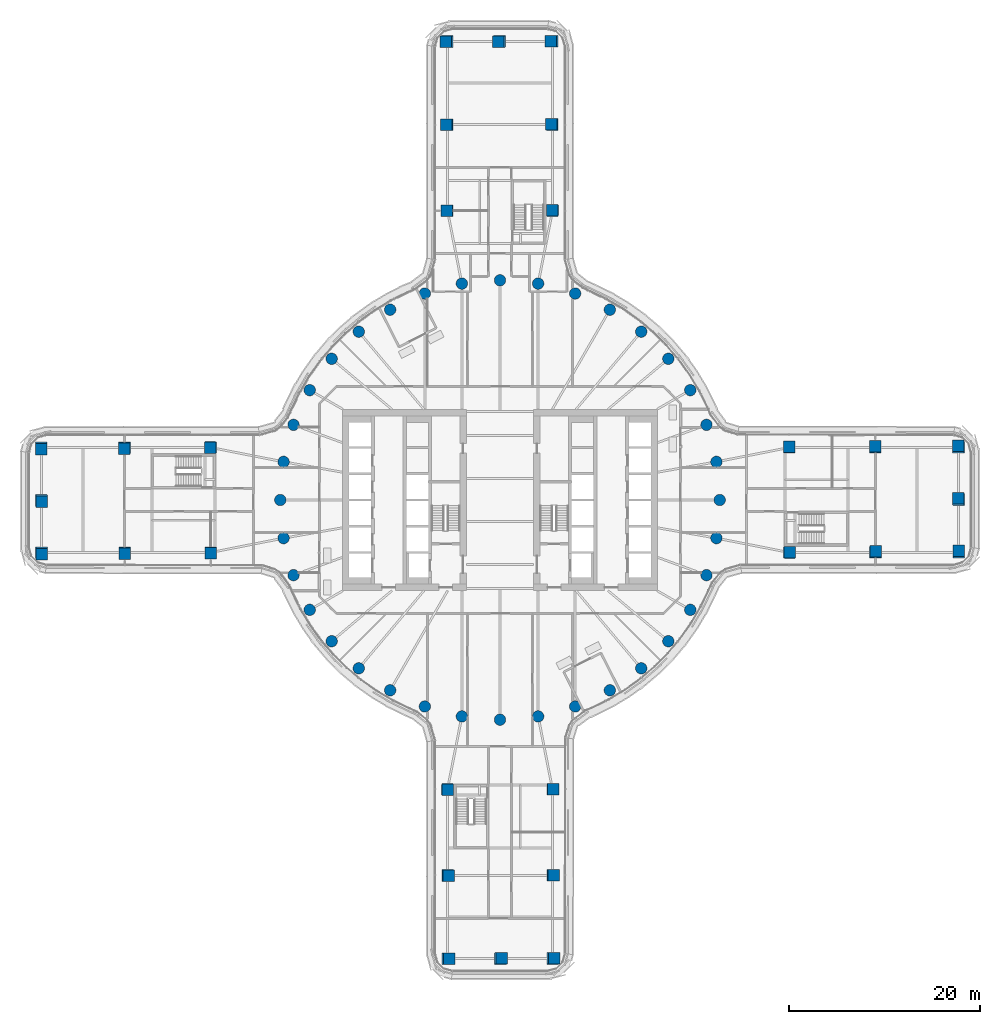
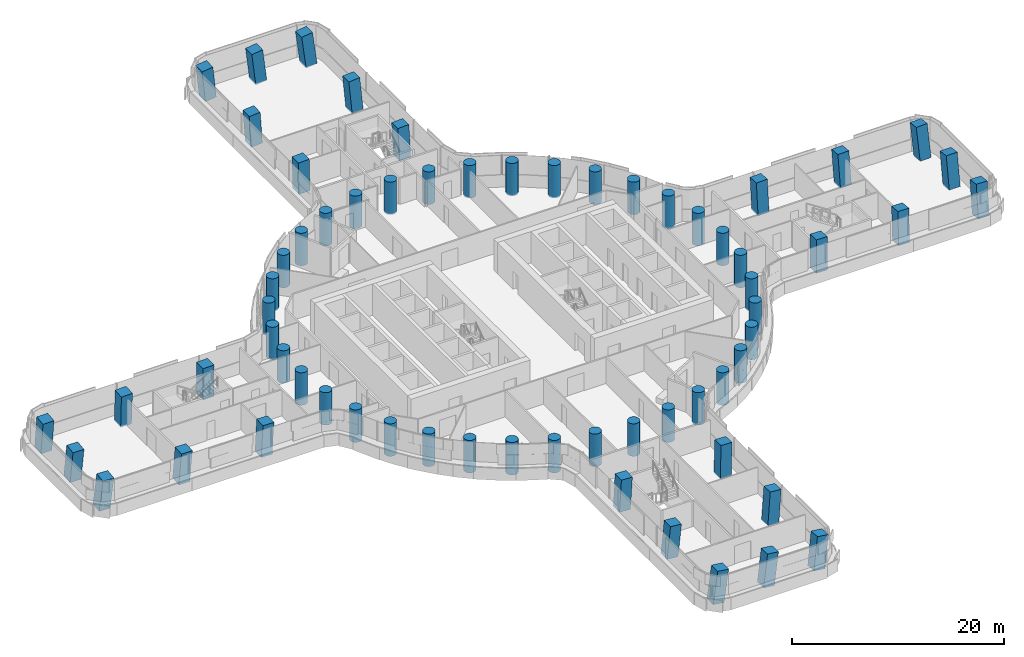
# One storey, part 1 of 32: 64 columns.
"""IFC4 building model written with IfcOpenShell, lengths in metres."""

from ifc_helpers import new_model, si_unit, direction, frame, origin, origin_2d, place, context, subcontext, project, spatial, rectangle, circle, extrude, material, material_profile, profile_set, type_object, element, save


model = new_model("IFC4")

# Units and contexts
model_context = context("Model", 3, precision=1e-05, world=origin(), true_north=direction((0.0, 1.0)))
body_context = subcontext(model_context, "Body", "Model", "MODEL_VIEW")
ifc_project = project(units=[si_unit("LENGTHUNIT", "METRE"), si_unit("AREAUNIT", "SQUARE_METRE"), si_unit("VOLUMEUNIT", "CUBIC_METRE"), si_unit("PLANEANGLEUNIT", "RADIAN"), si_unit("MASSUNIT", "GRAM", prefix="KILO")], contexts=[model_context])

# Site, building, storey
site_placement = place(None, origin())
site = spatial("IfcSite", under=ifc_project, at=site_placement, CompositionType="ELEMENT")
building_placement = place(site_placement, origin())
building = spatial("IfcBuilding", under=site, at=building_placement, Name="Tamarind Cross Interchange Tower", CompositionType="ELEMENT")
storey_placement = place(building_placement, frame((0.0, 0.0, 34.0)))
storey = spatial("IfcBuildingStorey", under=building, at=storey_placement, Name="L06", CompositionType="ELEMENT", Elevation=34.0)

# Columns
ifc_material = material(Name="Concrete C70", Category="concrete")
ifc_material_profile_1 = material_profile(ifc_material, rectangle(XDim=1.199951171875, YDim=1.199951171875, at=origin_2d()), Name="RC 1200x1200")
ifc_profile_set_1 = profile_set([ifc_material_profile_1], Name="Concrete C70")
column_type_1 = type_object("IfcColumnType", Name="Column RC 1200x1200 Concrete C70", PredefinedType="COLUMN", material=ifc_profile_set_1)
column_1_placement = place(storey_placement, frame((39.299072265625, 5.5029296875, -0.105712890625), z_axis=(-0.027435529026, 0.083550680281, 0.996125783007), x_axis=(-0.000803418265, -0.996502412004, 0.083560142343)))
element("IfcColumn", 1, at=column_1_placement, inside=storey, type_object=column_type_1, Name="Column L06-036", PredefinedType="COLUMN", context=body_context, shape_type="SweptSolid", body=[
    extrude(rectangle(XDim=1.199951171875, YDim=1.199951171875, at=origin_2d()), origin(), (0.0, 0.0, 1.0), 3.728515625),
])
column_2_placement = place(storey_placement, frame((39.30078125, -5.4970703125, -0.106201171875), z_axis=(0.025926185634, 0.083998222647, 0.996128571767), x_axis=(-0.999663774736, 0.001767036613, 0.025869191378)))
element("IfcColumn", 2, at=column_2_placement, inside=storey, type_object=column_type_1, Name="Column L06-037", PredefinedType="COLUMN", context=body_context, shape_type="SweptSolid", body=[
    extrude(rectangle(XDim=1.199951171875, YDim=1.199951171875, at=origin_2d()), origin(), (0.0, 0.0, 1.0), 3.72900390625),
])
for number, where, z_axis, x_axis, name in (
    (3, (30.29931640625, 5.500732421875, -0.118896484375), (-0.027018396677, 0.040102366012, 0.998830219047), (-0.00199562335, -0.999195161414, 0.040063036514), "Column L06-038"),
    (4, (30.300537109375, -5.4990234375, -0.118896484375), (0.026364241538, 0.040494951643, 0.998831860555), (-0.999652288171, 0.001546848396, 0.026323183978), "Column L06-039"),
):
    element("IfcColumn", number, at=place(storey_placement, frame(where, z_axis=z_axis, x_axis=x_axis)), inside=storey, type_object=column_type_1, Name=name, PredefinedType="COLUMN", context=body_context, shape_type="SweptSolid", body=[
        extrude(rectangle(XDim=1.199951171875, YDim=1.199951171875, at=origin_2d()), origin(), (0.0, 0.0, 1.0), 3.73193359375),
    ])
column_3_placement = place(storey_placement, frame((48.008056640625, -5.49462890625, -0.098388671875), z_axis=(0.010910971221, 0.125378166304, 0.992049024051), x_axis=(-0.999940253069, 0.000709202455, 0.010908131108)))
element("IfcColumn", 5, at=column_3_placement, inside=storey, type_object=column_type_1, Name="Column L06-040", PredefinedType="COLUMN", context=body_context, shape_type="SweptSolid", body=[
    extrude(rectangle(XDim=1.199951171875, YDim=1.199951171875, at=origin_2d()), origin(), (0.0, 0.0, 1.0), 3.73681640625),
])
column_4_placement = place(storey_placement, frame((48.0068359375, 0.00537109375, -0.096923828125), z_axis=(-0.015621598864, 0.125234240264, 0.992004209021), x_axis=(-0.000995822842, -0.992126729346, 0.125234025945)))
element("IfcColumn", 6, at=column_4_placement, inside=storey, type_object=column_type_1, Name="Column L06-041", PredefinedType="COLUMN", context=body_context, shape_type="SweptSolid", body=[
    extrude(rectangle(XDim=1.199951171875, YDim=1.199951171875, at=origin_2d()), origin(), (0.0, 0.0, 1.0), 3.735107421875),
])
column_5_placement = place(storey_placement, frame((48.00537109375, 5.50634765625, -0.089111328125), z_axis=(-0.042085970542, 0.124883408699, 0.991278419676), x_axis=(-0.002931384534, -0.992168641948, 0.124871105222)))
element("IfcColumn", 7, at=column_5_placement, inside=storey, type_object=column_type_1, Name="Column L06-042", PredefinedType="COLUMN", context=body_context, shape_type="SweptSolid", body=[
    extrude(rectangle(XDim=1.199951171875, YDim=1.199951171875, at=origin_2d()), origin(), (0.0, 0.0, 1.0), 3.72998046875),
])
column_6_placement = place(storey_placement, frame((-5.5029296875, 39.299072265625, -0.105712890625), z_axis=(-0.083550680281, -0.027435529026, 0.996125783007), x_axis=(0.996502412004, -0.000803418265, 0.083560142343)))
element("IfcColumn", 8, at=column_6_placement, inside=storey, type_object=column_type_1, Name="Column L06-043", PredefinedType="COLUMN", context=body_context, shape_type="SweptSolid", body=[
    extrude(rectangle(XDim=1.199951171875, YDim=1.199951171875, at=origin_2d()), origin(), (0.0, 0.0, 1.0), 3.728515625),
])
column_7_placement = place(storey_placement, frame((5.4970703125, 39.30078125, -0.106201171875), z_axis=(-0.083998222647, 0.025926185634, 0.996128571767), x_axis=(-0.001767036613, -0.999663774736, 0.025869191378)))
element("IfcColumn", 9, at=column_7_placement, inside=storey, type_object=column_type_1, Name="Column L06-044", PredefinedType="COLUMN", context=body_context, shape_type="SweptSolid", body=[
    extrude(rectangle(XDim=1.199951171875, YDim=1.199951171875, at=origin_2d()), origin(), (0.0, 0.0, 1.0), 3.72900390625),
])
for number, where, z_axis, x_axis, name in (
    (10, (-5.500732421875, 30.29931640625, -0.118896484375), (-0.040102366012, -0.027018396677, 0.998830219047), (0.999195161414, -0.00199562335, 0.040063036514), "Column L06-045"),
    (11, (5.4990234375, 30.300537109375, -0.118896484375), (-0.040494951643, 0.026364241538, 0.998831860555), (-0.001546848396, -0.999652288171, 0.026323183978), "Column L06-046"),
):
    element("IfcColumn", number, at=place(storey_placement, frame(where, z_axis=z_axis, x_axis=x_axis)), inside=storey, type_object=column_type_1, Name=name, PredefinedType="COLUMN", context=body_context, shape_type="SweptSolid", body=[
        extrude(rectangle(XDim=1.199951171875, YDim=1.199951171875, at=origin_2d()), origin(), (0.0, 0.0, 1.0), 3.73193359375),
    ])
column_8_placement = place(storey_placement, frame((5.49462890625, 48.008056640625, -0.098388671875), z_axis=(-0.125378166304, 0.010910971221, 0.992049024051), x_axis=(-0.000709202455, -0.999940253069, 0.010908131108)))
element("IfcColumn", 12, at=column_8_placement, inside=storey, type_object=column_type_1, Name="Column L06-047", PredefinedType="COLUMN", context=body_context, shape_type="SweptSolid", body=[
    extrude(rectangle(XDim=1.199951171875, YDim=1.199951171875, at=origin_2d()), origin(), (0.0, 0.0, 1.0), 3.73681640625),
])
column_9_placement = place(storey_placement, frame((-0.00537109375, 48.0068359375, -0.096923828125), z_axis=(-0.125234240264, -0.015621598864, 0.992004209021), x_axis=(0.992126729346, -0.000995822842, 0.125234025945)))
element("IfcColumn", 13, at=column_9_placement, inside=storey, type_object=column_type_1, Name="Column L06-048", PredefinedType="COLUMN", context=body_context, shape_type="SweptSolid", body=[
    extrude(rectangle(XDim=1.199951171875, YDim=1.199951171875, at=origin_2d()), origin(), (0.0, 0.0, 1.0), 3.735107421875),
])
column_10_placement = place(storey_placement, frame((-5.50634765625, 48.00537109375, -0.089111328125), z_axis=(-0.124883408699, -0.042085970542, 0.991278419676), x_axis=(0.992168641948, -0.002931384534, 0.124871105222)))
element("IfcColumn", 14, at=column_10_placement, inside=storey, type_object=column_type_1, Name="Column L06-049", PredefinedType="COLUMN", context=body_context, shape_type="SweptSolid", body=[
    extrude(rectangle(XDim=1.199951171875, YDim=1.199951171875, at=origin_2d()), origin(), (0.0, 0.0, 1.0), 3.72998046875),
])
column_11_placement = place(storey_placement, frame((-39.299072265625, -5.5029296875, -0.105712890625), z_axis=(0.027435529026, -0.083550680281, 0.996125783007), x_axis=(0.000803418265, 0.996502412004, 0.083560142343)))
element("IfcColumn", 15, at=column_11_placement, inside=storey, type_object=column_type_1, Name="Column L06-050", PredefinedType="COLUMN", context=body_context, shape_type="SweptSolid", body=[
    extrude(rectangle(XDim=1.199951171875, YDim=1.199951171875, at=origin_2d()), origin(), (0.0, 0.0, 1.0), 3.728515625),
])
column_12_placement = place(storey_placement, frame((-39.30078125, 5.4970703125, -0.106201171875), z_axis=(-0.025926185634, -0.083998222647, 0.996128571767), x_axis=(0.999663774736, -0.001767036613, 0.025869191378)))
element("IfcColumn", 16, at=column_12_placement, inside=storey, type_object=column_type_1, Name="Column L06-051", PredefinedType="COLUMN", context=body_context, shape_type="SweptSolid", body=[
    extrude(rectangle(XDim=1.199951171875, YDim=1.199951171875, at=origin_2d()), origin(), (0.0, 0.0, 1.0), 3.72900390625),
])
for number, where, z_axis, x_axis, name in (
    (17, (-30.29931640625, -5.500732421875, -0.118896484375), (0.027018396677, -0.040102366012, 0.998830219047), (0.00199562335, 0.999195161414, 0.040063036514), "Column L06-052"),
    (18, (-30.300537109375, 5.4990234375, -0.118896484375), (-0.026364241538, -0.040494951643, 0.998831860555), (0.999652288171, -0.001546848396, 0.026323183978), "Column L06-053"),
):
    element("IfcColumn", number, at=place(storey_placement, frame(where, z_axis=z_axis, x_axis=x_axis)), inside=storey, type_object=column_type_1, Name=name, PredefinedType="COLUMN", context=body_context, shape_type="SweptSolid", body=[
        extrude(rectangle(XDim=1.199951171875, YDim=1.199951171875, at=origin_2d()), origin(), (0.0, 0.0, 1.0), 3.73193359375),
    ])
column_13_placement = place(storey_placement, frame((-48.008056640625, 5.49462890625, -0.098388671875), z_axis=(-0.010910971221, -0.125378166304, 0.992049024051), x_axis=(0.999940253069, -0.000709202455, 0.010908131108)))
element("IfcColumn", 19, at=column_13_placement, inside=storey, type_object=column_type_1, Name="Column L06-054", PredefinedType="COLUMN", context=body_context, shape_type="SweptSolid", body=[
    extrude(rectangle(XDim=1.199951171875, YDim=1.199951171875, at=origin_2d()), origin(), (0.0, 0.0, 1.0), 3.73681640625),
])
column_14_placement = place(storey_placement, frame((-48.0068359375, -0.00537109375, -0.096923828125), z_axis=(0.015621598864, -0.125234240264, 0.992004209021), x_axis=(0.000995822842, 0.992126729346, 0.125234025945)))
element("IfcColumn", 20, at=column_14_placement, inside=storey, type_object=column_type_1, Name="Column L06-055", PredefinedType="COLUMN", context=body_context, shape_type="SweptSolid", body=[
    extrude(rectangle(XDim=1.199951171875, YDim=1.199951171875, at=origin_2d()), origin(), (0.0, 0.0, 1.0), 3.735107421875),
])
column_15_placement = place(storey_placement, frame((-48.00537109375, -5.50634765625, -0.089111328125), z_axis=(0.042085970542, -0.124883408699, 0.991278419676), x_axis=(0.002931384534, 0.992168641948, 0.124871105222)))
element("IfcColumn", 21, at=column_15_placement, inside=storey, type_object=column_type_1, Name="Column L06-056", PredefinedType="COLUMN", context=body_context, shape_type="SweptSolid", body=[
    extrude(rectangle(XDim=1.199951171875, YDim=1.199951171875, at=origin_2d()), origin(), (0.0, 0.0, 1.0), 3.72998046875),
])
column_16_placement = place(storey_placement, frame((5.5029296875, -39.299072265625, -0.105712890625), z_axis=(0.083550680281, 0.027435529026, 0.996125783007), x_axis=(-0.996502412004, 0.000803418265, 0.083560142343)))
element("IfcColumn", 22, at=column_16_placement, inside=storey, type_object=column_type_1, Name="Column L06-057", PredefinedType="COLUMN", context=body_context, shape_type="SweptSolid", body=[
    extrude(rectangle(XDim=1.199951171875, YDim=1.199951171875, at=origin_2d()), origin(), (0.0, 0.0, 1.0), 3.728515625),
])
column_17_placement = place(storey_placement, frame((-5.4970703125, -39.30078125, -0.106201171875), z_axis=(0.083998222647, -0.025926185634, 0.996128571767), x_axis=(0.001767036613, 0.999663774736, 0.025869191378)))
element("IfcColumn", 23, at=column_17_placement, inside=storey, type_object=column_type_1, Name="Column L06-058", PredefinedType="COLUMN", context=body_context, shape_type="SweptSolid", body=[
    extrude(rectangle(XDim=1.199951171875, YDim=1.199951171875, at=origin_2d()), origin(), (0.0, 0.0, 1.0), 3.72900390625),
])
for number, where, z_axis, x_axis, name in (
    (24, (5.500732421875, -30.29931640625, -0.118896484375), (0.040102366012, 0.027018396677, 0.998830219047), (-0.999195161414, 0.00199562335, 0.040063036514), "Column L06-059"),
    (25, (-5.4990234375, -30.300537109375, -0.118896484375), (0.040494951643, -0.026364241538, 0.998831860555), (0.001546848396, 0.999652288171, 0.026323183978), "Column L06-060"),
):
    element("IfcColumn", number, at=place(storey_placement, frame(where, z_axis=z_axis, x_axis=x_axis)), inside=storey, type_object=column_type_1, Name=name, PredefinedType="COLUMN", context=body_context, shape_type="SweptSolid", body=[
        extrude(rectangle(XDim=1.199951171875, YDim=1.199951171875, at=origin_2d()), origin(), (0.0, 0.0, 1.0), 3.73193359375),
    ])
column_18_placement = place(storey_placement, frame((-5.49462890625, -48.008056640625, -0.098388671875), z_axis=(0.125378166304, -0.010910971221, 0.992049024051), x_axis=(0.000709202455, 0.999940253069, 0.010908131108)))
element("IfcColumn", 26, at=column_18_placement, inside=storey, type_object=column_type_1, Name="Column L06-061", PredefinedType="COLUMN", context=body_context, shape_type="SweptSolid", body=[
    extrude(rectangle(XDim=1.199951171875, YDim=1.199951171875, at=origin_2d()), origin(), (0.0, 0.0, 1.0), 3.73681640625),
])
column_19_placement = place(storey_placement, frame((0.00537109375, -48.0068359375, -0.096923828125), z_axis=(0.125234240264, 0.015621598864, 0.992004209021), x_axis=(-0.992126729346, 0.000995822842, 0.125234025945)))
element("IfcColumn", 27, at=column_19_placement, inside=storey, type_object=column_type_1, Name="Column L06-062", PredefinedType="COLUMN", context=body_context, shape_type="SweptSolid", body=[
    extrude(rectangle(XDim=1.199951171875, YDim=1.199951171875, at=origin_2d()), origin(), (0.0, 0.0, 1.0), 3.735107421875),
])
column_20_placement = place(storey_placement, frame((5.50634765625, -48.00537109375, -0.089111328125), z_axis=(0.124883408699, 0.042085970542, 0.991278419676), x_axis=(-0.992168641948, 0.002931384534, 0.124871105222)))
element("IfcColumn", 28, at=column_20_placement, inside=storey, type_object=column_type_1, Name="Column L06-063", PredefinedType="COLUMN", context=body_context, shape_type="SweptSolid", body=[
    extrude(rectangle(XDim=1.199951171875, YDim=1.199951171875, at=origin_2d()), origin(), (0.0, 0.0, 1.0), 3.72998046875),
])
ifc_material_profile_2 = material_profile(ifc_material, circle(Radius=0.60009765625, at=origin_2d()), Name="RC D1200")
ifc_profile_set_2 = profile_set([ifc_material_profile_2], Name="Concrete C70")
column_type_2 = type_object("IfcColumnType", Name="Column RC D1200 Concrete C70", PredefinedType="COLUMN", material=ifc_profile_set_2)
for number, where, z_axis, x_axis, name in (
    (29, (23.0, 0.0, -0.139892578125), (0.0, 0.0, 1.0), (1.0, 0.0, 0.0), "Column L06-000"),
    (30, (22.650634765625, 3.993896484375, -0.139892578125), (0.0, 0.0, 1.0), (1.0, 0.0, 0.0), "Column L06-001"),
    (31, (21.613037109375, 7.866455078125, -0.139892578125), (0.0, 0.0, 1.0), (1.0, 0.0, 0.0), "Column L06-002"),
    (32, (19.918701171875, 11.5, -0.139892578125), (0.0, 0.0, 1.0), (1.0, 0.0, 0.0), "Column L06-003"),
    (33, (17.619140625, 14.7841796875, -0.139892578125), (0.0, 0.0, 1.0), (1.0, 0.0, 0.0), "Column L06-004"),
    (34, (14.7841796875, 17.619140625, -0.139892578125), (0.0, 0.0, 1.0), (1.0, 0.0, 0.0), "Column L06-005"),
    (35, (11.5, 19.918701171875, -0.139892578125), (0.0, 0.0, 1.0), (1.0, 0.0, 0.0), "Column L06-006"),
    (36, (7.866455078125, 21.613037109375, -0.139892578125), (0.0, 0.0, 1.0), (1.0, 0.0, 0.0), "Column L06-007"),
    (37, (3.993896484375, 22.650634765625, -0.139892578125), (0.0, 0.0, 1.0), (1.0, 0.0, 0.0), "Column L06-008"),
    (38, (0.0, 23.0, -0.139892578125), (0.0, 0.0, 1.0), (1.0, 0.0, 0.0), "Column L06-009"),
    (39, (-3.993896484375, 22.650634765625, -0.139892578125), (0.0, 0.0, 1.0), (1.0, 0.0, 0.0), "Column L06-010"),
    (40, (-7.866455078125, 21.613037109375, -0.139892578125), (0.0, 0.0, 1.0), (1.0, 0.0, 0.0), "Column L06-011"),
    (41, (-11.5, 19.918701171875, -0.139892578125), (0.0, 0.0, 1.0), (1.0, 0.0, 0.0), "Column L06-012"),
    (42, (-14.7841796875, 17.619140625, -0.139892578125), (0.0, 0.0, 1.0), (1.0, 0.0, 0.0), "Column L06-013"),
    (43, (-17.619140625, 14.7841796875, -0.139892578125), (0.0, 0.0, 1.0), (1.0, 0.0, 0.0), "Column L06-014"),
    (44, (-19.918701171875, 11.5, -0.139892578125), (0.0, 0.0, 1.0), (1.0, 0.0, 0.0), "Column L06-015"),
    (45, (-21.613037109375, 7.866455078125, -0.139892578125), (0.0, 0.0, 1.0), (1.0, 0.0, 0.0), "Column L06-016"),
    (46, (-22.650634765625, 3.993896484375, -0.139892578125), (0.0, 0.0, 1.0), (1.0, 0.0, 0.0), "Column L06-017"),
    (47, (-23.0, 0.0, -0.139892578125), (0.0, 0.0, 1.0), (1.0, 0.0, 0.0), "Column L06-018"),
    (48, (-22.650634765625, -3.993896484375, -0.139892578125), (0.0, 0.0, 1.0), (1.0, 0.0, 0.0), "Column L06-019"),
    (49, (-21.613037109375, -7.866455078125, -0.139892578125), (0.0, 0.0, 1.0), (1.0, 0.0, 0.0), "Column L06-020"),
    (50, (-19.918701171875, -11.5, -0.139892578125), (0.0, 0.0, 1.0), (1.0, 0.0, 0.0), "Column L06-021"),
    (51, (-17.619140625, -14.7841796875, -0.139892578125), (0.0, 0.0, 1.0), (1.0, 0.0, 0.0), "Column L06-022"),
    (52, (-14.7841796875, -17.619140625, -0.139892578125), (0.0, 0.0, 1.0), (1.0, 0.0, 0.0), "Column L06-023"),
    (53, (-11.5, -19.918701171875, -0.139892578125), (0.0, 0.0, 1.0), (1.0, 0.0, 0.0), "Column L06-024"),
    (54, (-7.866455078125, -21.613037109375, -0.139892578125), (0.0, 0.0, 1.0), (1.0, 0.0, 0.0), "Column L06-025"),
    (55, (-3.993896484375, -22.650634765625, -0.139892578125), (0.0, 0.0, 1.0), (1.0, 0.0, 0.0), "Column L06-026"),
    (56, (0.0, -23.0, -0.139892578125), (0.0, 0.0, 1.0), (1.0, 0.0, 0.0), "Column L06-027"),
    (57, (3.993896484375, -22.650634765625, -0.139892578125), (0.0, 0.0, 1.0), (1.0, 0.0, 0.0), "Column L06-028"),
    (58, (7.866455078125, -21.613037109375, -0.139892578125), (0.0, 0.0, 1.0), (1.0, 0.0, 0.0), "Column L06-029"),
    (59, (11.5, -19.918701171875, -0.139892578125), (0.0, 0.0, 1.0), (1.0, 0.0, 0.0), "Column L06-030"),
    (60, (14.7841796875, -17.619140625, -0.139892578125), (0.0, 0.0, 1.0), (1.0, 0.0, 0.0), "Column L06-031"),
    (61, (17.619140625, -14.7841796875, -0.139892578125), (0.0, 0.0, 1.0), (1.0, 0.0, 0.0), "Column L06-032"),
    (62, (19.918701171875, -11.5, -0.139892578125), (0.0, 0.0, 1.0), (1.0, 0.0, 0.0), "Column L06-033"),
    (63, (21.613037109375, -7.866455078125, -0.139892578125), (0.0, 0.0, 1.0), (1.0, 0.0, 0.0), "Column L06-034"),
    (64, (22.650634765625, -3.993896484375, -0.139892578125), (0.0, 0.0, 1.0), (1.0, 0.0, 0.0), "Column L06-035"),
):
    element("IfcColumn", number, at=place(storey_placement, frame(where, z_axis=z_axis, x_axis=x_axis)), inside=storey, type_object=column_type_2, Name=name, PredefinedType="COLUMN", context=body_context, shape_type="SweptSolid", body=[
        extrude(circle(Radius=0.60009765625, at=origin_2d()), origin(), (0.0, 0.0, 1.0), 3.75),
    ])

save(model, "model.ifc")
